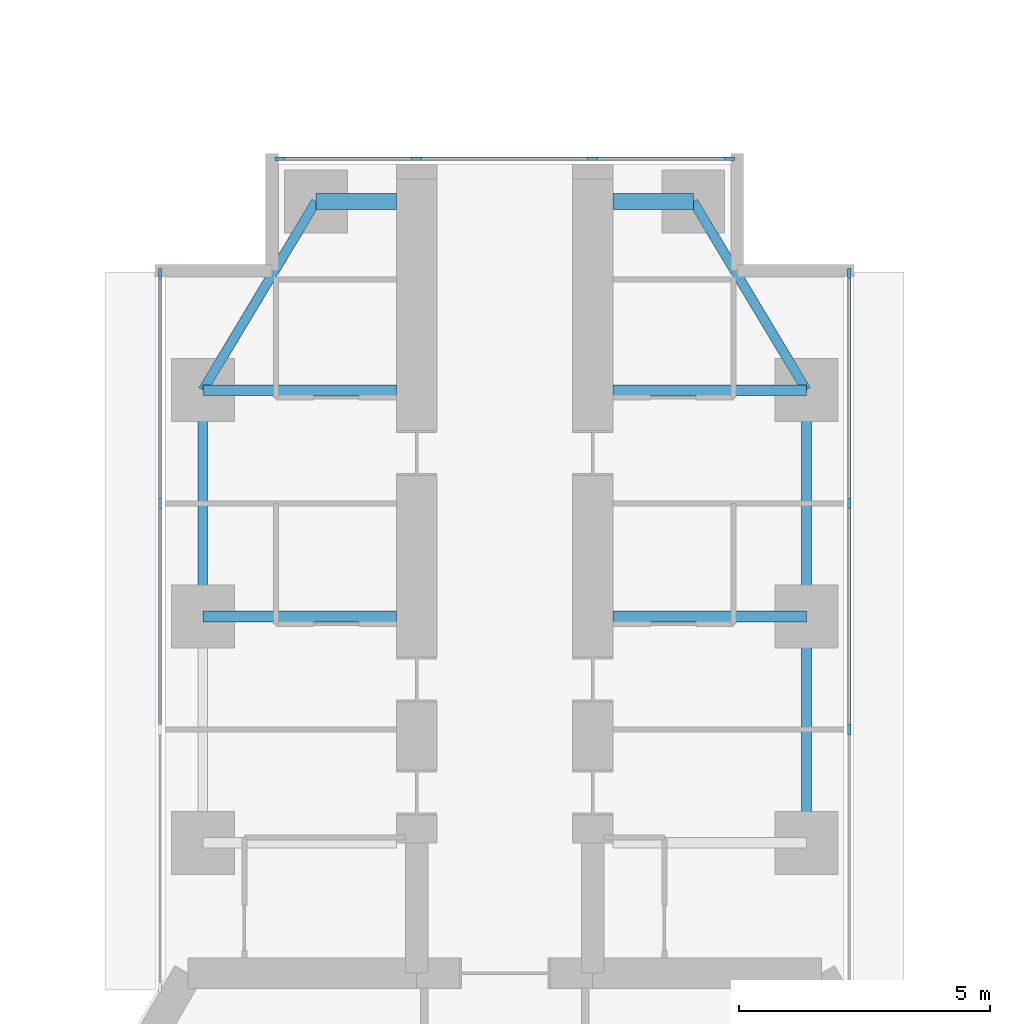
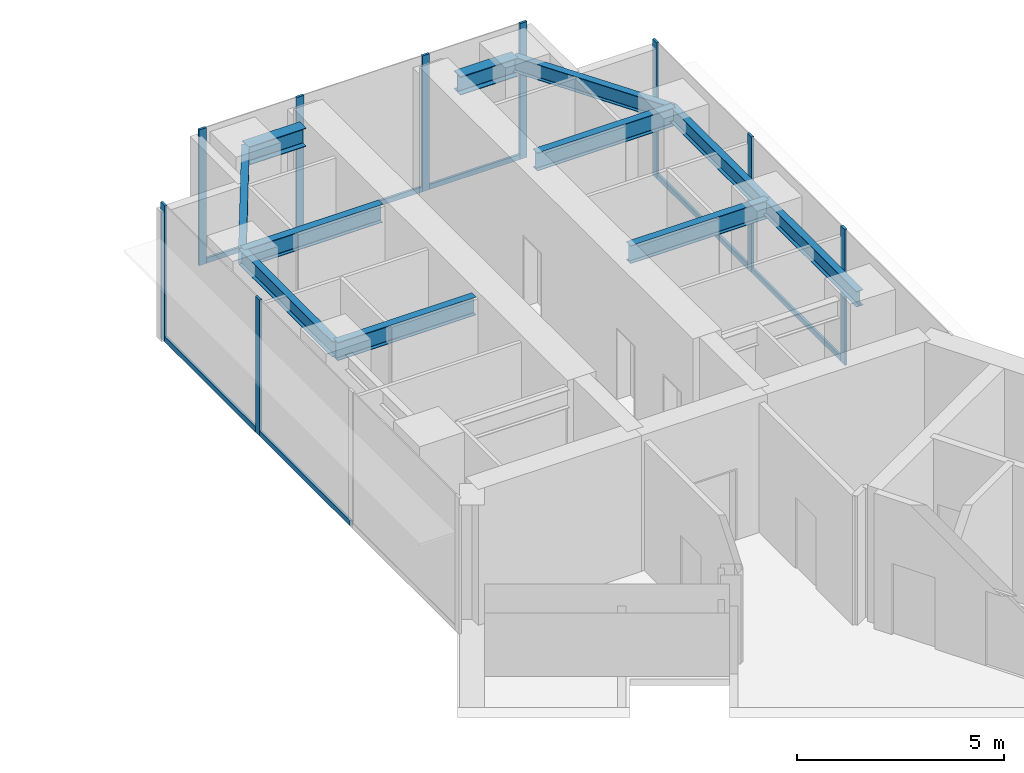
# One storey, part 12 of 23: 16 members, 11 beams, 3 elements without a shape of their own.
"""IFC4 building model written with IfcOpenShell, lengths in metres."""

import ifcopenshell
import ifcopenshell.guid

model = None  # the IFC model being written
_history = None  # IfcOwnerHistory: only IFC2X3 demands one
_inside = {}  # id of a spatial element -> (the spatial element, [elements in it])
_under = {}  # id of a project, library or spatial element -> (it, [spatial elements below it])
_declared = {}  # id of a project -> (the project, [libraries it declares])
_typed = {}  # id of a type object -> (the type object, [elements of that type])
_made_of = {}  # id of a material, layer set ... -> (it, [elements and type objects made of it])


def new_model(schema):
    """Start an empty IFC model of exactly this schema.

    Asked for "IFC4X3", IfcOpenShell would pick the latest addendum, in which some entities
    have other attributes; the version numbers below select the first issue.
    IFC2X3 requires an IfcOwnerHistory on every rooted entity: one is made here for all.
    """
    global model, _history
    if schema == "IFC4X3":
        model = ifcopenshell.file(schema_version=(4, 3, 0, 0))
    else:
        model = ifcopenshell.file(schema=schema)
    _inside.clear()
    _under.clear()
    _declared.clear()
    _typed.clear()
    _made_of.clear()
    _history = None
    if model.schema == "IFC2X3":
        org = make("IfcOrganization", Name="unknown")
        user = make(
            "IfcPersonAndOrganization",
            ThePerson=make("IfcPerson", FamilyName="unknown"),
            TheOrganization=org,
        )
        app = make(
            "IfcApplication",
            ApplicationDeveloper=org,
            Version="unknown",
            ApplicationFullName="unknown",
            ApplicationIdentifier="unknown",
        )
        _history = make(
            "IfcOwnerHistory",
            OwningUser=user,
            OwningApplication=app,
            ChangeAction="ADDED",
            CreationDate=0,
        )
    return model


def make(cls, **values):
    """One entity of the class cls with the attributes given. An attribute that is None is left unset."""
    return model.create_entity(
        cls, **{name: value for name, value in values.items() if value is not None}
    )


def rooted(cls, **values):
    """An entity with a GlobalId (a new one), such as an element, a storey or a relation."""
    return make(cls, GlobalId=ifcopenshell.guid.new(), OwnerHistory=_history, **values)


def si_unit(unit_type, name, prefix=None):
    """IfcSIUnit, for example si_unit("LENGTHUNIT", "METRE", prefix="MILLI")."""
    return make("IfcSIUnit", UnitType=unit_type, Prefix=prefix, Name=name)


def assignment(units):
    """IfcUnitAssignment: the units of a project."""
    return None if units is None else make("IfcUnitAssignment", Units=units)


def point(xyz):
    """IfcCartesianPoint."""
    return None if xyz is None else make("IfcCartesianPoint", Coordinates=xyz)


def direction(xyz):
    """IfcDirection."""
    return None if xyz is None else make("IfcDirection", DirectionRatios=xyz)


def frame(location, z_axis=None, x_axis=None):
    """IfcAxis2Placement3D, a coordinate frame: its origin and axes. An axis left out is left unset."""
    return make(
        "IfcAxis2Placement3D",
        Location=point(location),
        Axis=direction(z_axis),
        RefDirection=direction(x_axis),
    )


def frame_2d(location, x_axis=None):
    """IfcAxis2Placement2D, a coordinate frame in the plane: its origin and x axis."""
    return make(
        "IfcAxis2Placement2D", Location=point(location), RefDirection=direction(x_axis)
    )


def origin():
    """The frame at (0, 0, 0) with its axes left unset."""
    return frame((0.0, 0.0, 0.0))


def origin_2d():
    """The frame at (0, 0) in the plane with its x axis left unset."""
    return frame_2d((0.0, 0.0))


def place(relative_to, where):
    """IfcLocalPlacement: puts the frame where relative to a parent placement (None: the world)."""
    return make(
        "IfcLocalPlacement", PlacementRelTo=relative_to, RelativePlacement=where
    )


def context(
    kind, dimensions, precision=None, world=None, true_north=None, identifier=None
):
    """IfcGeometricRepresentationContext, for example the 3D "Model" context."""
    return make(
        "IfcGeometricRepresentationContext",
        ContextIdentifier=identifier,
        ContextType=kind,
        CoordinateSpaceDimension=dimensions,
        Precision=precision,
        WorldCoordinateSystem=world,
        TrueNorth=true_north,
    )


def subcontext(parent, identifier, kind, view, scale=None):
    """IfcGeometricRepresentationSubContext, for example "Body" below "Model"."""
    return make(
        "IfcGeometricRepresentationSubContext",
        ContextIdentifier=identifier,
        ContextType=kind,
        ParentContext=parent,
        TargetScale=scale,
        TargetView=view,
    )


def project(units=None, contexts=None):
    """IfcProject with its units and contexts."""
    return rooted(
        "IfcProject",
        Name="project",
        RepresentationContexts=contexts,
        UnitsInContext=assignment(units),
    )


def spatial(cls, under=None, at=None, **own):
    """A site, building, storey or space (cls), placed at a placement, below another one or the project."""
    s = rooted(cls, ObjectPlacement=at, **own)
    if under is not None:
        _under.setdefault(under.id(), (under, []))[1].append(s)
    return s


def profile(cls, at=None, kind="AREA", **sizes):
    """A parametric profile (cls). Its sizes go by their IFC names, for example OverallWidth=200.0."""
    return make(cls, ProfileType=kind, Position=at, **sizes)


def rectangle(**sizes):
    """IfcRectangleProfileDef."""
    return profile("IfcRectangleProfileDef", **sizes)


def i_section(**sizes):
    """IfcIShapeProfileDef."""
    return profile("IfcIShapeProfileDef", **sizes)


def extrude(swept, where, along, depth):
    """IfcExtrudedAreaSolid: the profile swept, set in the frame where, extruded along a direction by depth."""
    return make(
        "IfcExtrudedAreaSolid",
        SweptArea=swept,
        Position=where,
        ExtrudedDirection=direction(along),
        Depth=depth,
    )


def shape(context_of_items, identifier, shape_type, items):
    """IfcShapeRepresentation: the items that make up one representation, for example the "Body"."""
    return make(
        "IfcShapeRepresentation",
        ContextOfItems=context_of_items,
        RepresentationIdentifier=identifier,
        RepresentationType=shape_type,
        Items=items,
    )


def material(Name=None, Category=None):
    """IfcMaterial."""
    return make("IfcMaterial", Name=Name, Category=Category)


def material_profile(
    of_material, cross_section, Name=None, Category=None, Priority=None
):
    """IfcMaterialProfile: a cross section and its material."""
    return make(
        "IfcMaterialProfile",
        Name=Name,
        Material=of_material,
        Profile=cross_section,
        Priority=Priority,
        Category=Category,
    )


def profile_set(profiles, Name=None, composite=None):
    """IfcMaterialProfileSet."""
    return make(
        "IfcMaterialProfileSet",
        Name=Name,
        MaterialProfiles=profiles,
        CompositeProfile=composite,
    )


def made_of(thing, what):
    """Note that an element or type object is made of a material, layer set ...; save() writes the relation."""
    if what is not None:
        _made_of.setdefault(what.id(), (what, []))[1].append(thing)
    return thing


def type_object(cls, material=None, **own):
    """A type object (cls), such as IfcWallType, which elements share."""
    return made_of(rooted(cls, **own), material)


def element(
    cls,
    number,
    at=None,
    inside=None,
    cuts=None,
    type_object=None,
    material=None,
    context=None,
    identifier="Body",
    shape_type=None,
    held_by="IfcProductDefinitionShape",
    body=None,
    shapes=None,
    **own,
):
    """One element of the class cls, such as IfcWall. Its Tag is "e" and its number.

    at: its placement. inside: the storey or other place that contains it. cuts: it is an
    opening in that element (IfcRelVoidsElement). A single representation is given by context,
    identifier, shape_type and body (its items); several are given by shapes. held_by: the class
    of the entity that holds the representations. save() writes the other relations.
    """
    e = rooted(cls, Tag="e%d" % number, ObjectPlacement=at, **own)
    if body is not None:
        shapes = [shape(context, identifier, shape_type, body)]
    if shapes is not None:
        e.Representation = make(held_by, Representations=shapes)
    if inside is not None:
        _inside.setdefault(inside.id(), (inside, []))[1].append(e)
    if cuts is not None:
        rooted(
            "IfcRelVoidsElement", RelatingBuildingElement=cuts, RelatedOpeningElement=e
        )
    if type_object is not None:
        _typed.setdefault(type_object.id(), (type_object, []))[1].append(e)
    return made_of(e, material)


def aggregate(whole, parts):
    """IfcRelAggregates: a whole, such as a stair, and the parts it consists of."""
    return rooted("IfcRelAggregates", RelatingObject=whole, RelatedObjects=parts)


def save(model, path):
    """Write the relations noted so far, then the file.

    IfcRelAggregates (storeys below a building ...), IfcRelContainedInSpatialStructure (elements
    in a storey), IfcRelDefinesByType, IfcRelAssociatesMaterial and IfcRelDeclares: one each for
    every whole, place, type object, material and project.
    """
    for whole, parts in _under.values():
        aggregate(whole, parts)
    for where, things in _inside.values():
        rooted(
            "IfcRelContainedInSpatialStructure",
            RelatedElements=things,
            RelatingStructure=where,
        )
    for kind, things in _typed.values():
        rooted("IfcRelDefinesByType", RelatedObjects=things, RelatingType=kind)
    for what, things in _made_of.values():
        rooted("IfcRelAssociatesMaterial", RelatedObjects=things, RelatingMaterial=what)
    for by, libraries in _declared.values():
        rooted("IfcRelDeclares", RelatingContext=by, RelatedDefinitions=libraries)
    model.write(path)


model = new_model("IFC4")

# Units and contexts
model_context = context("Model", 3, precision=1e-05, world=origin(), true_north=direction((0.0, 1.0)))
body_context = subcontext(model_context, "Body", "Model", "MODEL_VIEW")
ifc_project = project(units=[si_unit("LENGTHUNIT", "METRE"), si_unit("AREAUNIT", "SQUARE_METRE"), si_unit("VOLUMEUNIT", "CUBIC_METRE"), si_unit("PLANEANGLEUNIT", "RADIAN"), si_unit("MASSUNIT", "GRAM", prefix="KILO")], contexts=[model_context])

# Site, building, storey
site_placement = place(None, origin())
site = spatial("IfcSite", under=ifc_project, at=site_placement, CompositionType="ELEMENT")
building_placement = place(site_placement, origin())
building = spatial("IfcBuilding", under=site, at=building_placement, Name="Upepo Twin Towers", CompositionType="ELEMENT")
storey_placement = place(building_placement, frame((0.0, 0.0, 149.5)))
storey = spatial("IfcBuildingStorey", under=building, at=storey_placement, Name="L36", CompositionType="ELEMENT", Elevation=149.5)

# Beams
ifc_material_1 = material(Name="Steel S355", Category="steel")
ifc_material_profile_1 = material_profile(ifc_material_1, i_section(OverallWidth=0.1904296875, OverallDepth=0.45703125, WebThickness=0.009033203125, FlangeThickness=0.014404296875, FilletRadius=0.01025390625, at=origin_2d()), Name="UB 457x191x74")
ifc_profile_set_1 = profile_set([ifc_material_profile_1], Name="Steel S355")
beam_type_1 = type_object("IfcBeamType", Name="Beam UB 457x191x74", PredefinedType="BEAM", material=ifc_profile_set_1)
beam_1_placement = place(storey_placement, frame((52.5, 0.0, 3.571533203125), z_axis=(0.0, 1.0, 0.0), x_axis=(-1.0, 0.0, 0.0)))
element("IfcBeam", 1, at=beam_1_placement, inside=storey, type_object=beam_type_1, Name="T2 edge beam AL 18.0-22.5", PredefinedType="BEAM", context=body_context, shape_type="SweptSolid", body=[
    extrude(i_section(OverallWidth=0.1904296875, OverallDepth=0.45703125, WebThickness=0.009033203125, FlangeThickness=0.014404296875, FilletRadius=0.01025390625, at=origin_2d()), origin(), (0.0, 0.0, 1.0), 4.5),
])
beam_2_placement = place(storey_placement, frame((52.5, 4.5, 3.571533203125), z_axis=(0.514495755428, 0.857492925713, 0.0), x_axis=(-0.857492925713, 0.514495755428, 0.0)))
element("IfcBeam", 2, at=beam_2_placement, inside=storey, type_object=beam_type_1, Name="T2 nose edge beam AL", PredefinedType="BEAM", context=body_context, shape_type="SweptSolid", body=[
    extrude(i_section(OverallWidth=0.1904296875, OverallDepth=0.45703125, WebThickness=0.009033203125, FlangeThickness=0.014404296875, FilletRadius=0.01025390625, at=origin_2d()), origin(), (0.0, 0.0, 1.0), 4.373291015625),
])
for number, where, z_axis, x_axis, name in (
    (3, (64.5, -4.5, 3.571533203125), (0.0, 1.0, 0.0), (-1.0, 0.0, 0.0), "T2 edge beam AR 13.5-18.0"),
    (4, (64.5, 0.0, 3.571533203125), (0.0, 1.0, 0.0), (-1.0, 0.0, 0.0), "T2 edge beam AR 18.0-22.5"),
):
    element("IfcBeam", number, at=place(storey_placement, frame(where, z_axis=z_axis, x_axis=x_axis)), inside=storey, type_object=beam_type_1, Name=name, PredefinedType="BEAM", context=body_context, shape_type="SweptSolid", body=[
        extrude(i_section(OverallWidth=0.1904296875, OverallDepth=0.45703125, WebThickness=0.009033203125, FlangeThickness=0.014404296875, FilletRadius=0.01025390625, at=origin_2d()), origin(), (0.0, 0.0, 1.0), 4.5),
    ])
beam_3_placement = place(storey_placement, frame((64.5, 4.5, 3.571533203125), z_axis=(-0.514495755428, 0.857492925713, 0.0), x_axis=(-0.857492925713, -0.514495755428, 0.0)))
element("IfcBeam", 5, at=beam_3_placement, inside=storey, type_object=beam_type_1, Name="T2 nose edge beam AR", PredefinedType="BEAM", context=body_context, shape_type="SweptSolid", body=[
    extrude(i_section(OverallWidth=0.1904296875, OverallDepth=0.45703125, WebThickness=0.009033203125, FlangeThickness=0.014404296875, FilletRadius=0.01025390625, at=origin_2d()), origin(), (0.0, 0.0, 1.0), 4.373291015625),
])
ifc_material_2 = material(Name="Steel S355", Category="steel")
ifc_material_profile_2 = material_profile(ifc_material_2, i_section(OverallWidth=0.209228515625, OverallDepth=0.533203125, WebThickness=0.010009765625, FlangeThickness=0.015625, FilletRadius=0.0126953125, at=origin_2d()), Name="UB 533x210x92")
ifc_profile_set_2 = profile_set([ifc_material_profile_2], Name="Steel S355")
beam_type_2 = type_object("IfcBeamType", Name="Beam UB 533x210x92", PredefinedType="BEAM", material=ifc_profile_set_2)
for number, where, z_axis, x_axis, name in (
    (6, (52.5, 0.0, 3.533447265625), (1.0, 0.0, 0.0), (0.0, 1.0, 0.0), "T2 girder AL at 18.0"),
    (7, (52.5, 4.5, 3.533447265625), (1.0, 0.0, 0.0), (0.0, 1.0, 0.0), "T2 girder AL at 22.5"),
    (8, (64.5, 0.0, 3.533447265625), (-1.0, 0.0, 0.0), (0.0, -1.0, 0.0), "T2 girder AR at 18.0"),
    (9, (64.5, 4.5, 3.533447265625), (-1.0, 0.0, 0.0), (0.0, -1.0, 0.0), "T2 girder AR at 22.5"),
):
    element("IfcBeam", number, at=place(storey_placement, frame(where, z_axis=z_axis, x_axis=x_axis)), inside=storey, type_object=beam_type_2, Name=name, PredefinedType="BEAM", context=body_context, shape_type="SweptSolid", body=[
        extrude(i_section(OverallWidth=0.209228515625, OverallDepth=0.533203125, WebThickness=0.010009765625, FlangeThickness=0.015625, FilletRadius=0.0126953125, at=origin_2d()), origin(), (0.0, 0.0, 1.0), 3.85009765625),
    ])
ifc_material_3 = material(Name="Steel S355", Category="steel")
ifc_material_profile_3 = material_profile(ifc_material_3, i_section(OverallWidth=0.31201171875, OverallDepth=0.54345703125, WebThickness=0.0126953125, FlangeThickness=0.020263671875, FilletRadius=0.0126953125, at=origin_2d()), Name="UB 533x312x150")
ifc_profile_set_3 = profile_set([ifc_material_profile_3], Name="Steel S355")
beam_type_3 = type_object("IfcBeamType", Name="Beam UB 533x312x150", PredefinedType="BEAM", material=ifc_profile_set_3)
for number, where, z_axis, x_axis, name in (
    (10, (54.75, 8.25, 3.5283203125), (1.0, 0.0, 0.0), (0.0, 1.0, 0.0), "T2 nose beam AL"),
    (11, (62.25, 8.25, 3.5283203125), (-1.0, 0.0, 0.0), (0.0, -1.0, 0.0), "T2 nose beam AR"),
):
    element("IfcBeam", number, at=place(storey_placement, frame(where, z_axis=z_axis, x_axis=x_axis)), inside=storey, type_object=beam_type_3, Name=name, PredefinedType="BEAM", context=body_context, shape_type="SweptSolid", body=[
        extrude(i_section(OverallWidth=0.31201171875, OverallDepth=0.54345703125, WebThickness=0.0126953125, FlangeThickness=0.020263671875, FilletRadius=0.0126953125, at=origin_2d()), origin(), (0.0, 0.0, 1.0), 1.60009765625),
    ])

# Curtain wall, members
ifc_material_4 = material(Name="Aluminium and fritted glass", Category="aluminium")
curtain_wall_type = type_object("IfcCurtainWallType", Name="Tower curtain wall TW2, fritted glass", PredefinedType="NOTDEFINED", material=ifc_material_4)
curtain_wall_1_placement = place(storey_placement, origin())
curtain_wall_1 = element("IfcCurtainWall", 12, at=curtain_wall_1_placement, inside=storey, type_object=curtain_wall_type, Name="T2 L36 wing A flank L curtain wall", PredefinedType="NOTDEFINED")
ifc_material_5 = material(Name="Aluminium mullion", Category="aluminium")
ifc_material_profile_4 = material_profile(ifc_material_5, rectangle(XDim=0.06494140625, YDim=0.199951171875, at=origin_2d()), Name="MULLION 65x200")
ifc_profile_set_4 = profile_set([ifc_material_profile_4], Name="Aluminium mullion")
member_type_1 = type_object("IfcMemberType", Name="Mullion 65x200 TW2", PredefinedType="MULLION", material=ifc_profile_set_4)
member_1_placement = place(storey_placement, frame((51.64990234375, 2.25, 0.0), z_axis=(0.0, 0.0, 1.0), x_axis=(-1.0, 0.0, 0.0)))
member_1 = element("IfcMember", 13, at=member_1_placement, type_object=member_type_1, Name="T2 L36 wing A flank L curtain wall mullion 3", PredefinedType="MULLION", context=body_context, shape_type="SweptSolid", body=[
    extrude(rectangle(XDim=0.06494140625, YDim=0.199951171875, at=origin_2d()), origin(), (0.0, 0.0, 1.0), 4.0),
])
member_2_placement = place(storey_placement, frame((51.64990234375, 6.8173828125, 0.0), z_axis=(0.0, 0.0, 1.0), x_axis=(-1.0, 0.0, 0.0)))
member_2 = element("IfcMember", 14, at=member_2_placement, type_object=member_type_1, Name="T2 L36 wing A flank L curtain wall mullion 4", PredefinedType="MULLION", context=body_context, shape_type="SweptSolid", body=[
    extrude(rectangle(XDim=0.06494140625, YDim=0.199951171875, at=origin_2d()), origin(), (0.0, 0.0, 1.0), 4.0),
])

curtain_wall_2_placement = place(storey_placement, origin())
curtain_wall_2 = element("IfcCurtainWall", 15, at=curtain_wall_2_placement, inside=storey, type_object=curtain_wall_type, Name="T2 L36 wing A flank R curtain wall", PredefinedType="NOTDEFINED")
member_3_placement = place(storey_placement, frame((65.35009765625, 6.8173828125, 0.0), z_axis=(0.0, 0.0, 1.0), x_axis=(1.0, 0.0, 0.0)))
member_3 = element("IfcMember", 16, at=member_3_placement, type_object=member_type_1, Name="T2 L36 wing A flank R curtain wall mullion 1", PredefinedType="MULLION", context=body_context, shape_type="SweptSolid", body=[
    extrude(rectangle(XDim=0.06494140625, YDim=0.199951171875, at=origin_2d()), origin(), (0.0, 0.0, 1.0), 4.0),
])
member_4_placement = place(storey_placement, frame((65.35009765625, 2.25, 0.0), z_axis=(0.0, 0.0, 1.0), x_axis=(1.0, 0.0, 0.0)))
member_4 = element("IfcMember", 17, at=member_4_placement, type_object=member_type_1, Name="T2 L36 wing A flank R curtain wall mullion 2", PredefinedType="MULLION", context=body_context, shape_type="SweptSolid", body=[
    extrude(rectangle(XDim=0.06494140625, YDim=0.199951171875, at=origin_2d()), origin(), (0.0, 0.0, 1.0), 4.0),
])
member_5_placement = place(storey_placement, frame((65.35009765625, -2.25, 0.0), z_axis=(0.0, 0.0, 1.0), x_axis=(1.0, 0.0, 0.0)))
member_5 = element("IfcMember", 18, at=member_5_placement, type_object=member_type_1, Name="T2 L36 wing A flank R curtain wall mullion 3", PredefinedType="MULLION", context=body_context, shape_type="SweptSolid", body=[
    extrude(rectangle(XDim=0.06494140625, YDim=0.199951171875, at=origin_2d()), origin(), (0.0, 0.0, 1.0), 4.0),
])

curtain_wall_3_placement = place(storey_placement, origin())
curtain_wall_3 = element("IfcCurtainWall", 19, at=curtain_wall_3_placement, inside=storey, type_object=curtain_wall_type, Name="T2 L36 wing A nose curtain wall", PredefinedType="NOTDEFINED")
member_6_placement = place(storey_placement, frame((62.967529296875, 9.10009765625, 0.0), z_axis=(0.0, 0.0, 1.0), x_axis=(0.0, -1.0, 0.0)))
member_6 = element("IfcMember", 20, at=member_6_placement, type_object=member_type_1, Name="T2 L36 wing A nose curtain wall mullion 1", PredefinedType="MULLION", context=body_context, shape_type="SweptSolid", body=[
    extrude(rectangle(XDim=0.06494140625, YDim=0.199951171875, at=origin_2d()), origin(), (0.0, 0.0, 1.0), 4.0),
])
member_7_placement = place(storey_placement, frame((60.25, 9.10009765625, 0.0), z_axis=(0.0, 0.0, 1.0), x_axis=(0.0, -1.0, 0.0)))
member_7 = element("IfcMember", 21, at=member_7_placement, type_object=member_type_1, Name="T2 L36 wing A nose curtain wall mullion 2", PredefinedType="MULLION", context=body_context, shape_type="SweptSolid", body=[
    extrude(rectangle(XDim=0.06494140625, YDim=0.199951171875, at=origin_2d()), origin(), (0.0, 0.0, 1.0), 4.0),
])
member_8_placement = place(storey_placement, frame((56.75, 9.10009765625, 0.0), z_axis=(0.0, 0.0, 1.0), x_axis=(0.0, -1.0, 0.0)))
member_8 = element("IfcMember", 22, at=member_8_placement, type_object=member_type_1, Name="T2 L36 wing A nose curtain wall mullion 3", PredefinedType="MULLION", context=body_context, shape_type="SweptSolid", body=[
    extrude(rectangle(XDim=0.06494140625, YDim=0.199951171875, at=origin_2d()), origin(), (0.0, 0.0, 1.0), 4.0),
])
member_9_placement = place(storey_placement, frame((54.032470703125, 9.10009765625, 0.0), z_axis=(0.0, 0.0, 1.0), x_axis=(0.0, -1.0, 0.0)))
member_9 = element("IfcMember", 23, at=member_9_placement, type_object=member_type_1, Name="T2 L36 wing A nose curtain wall mullion 4", PredefinedType="MULLION", context=body_context, shape_type="SweptSolid", body=[
    extrude(rectangle(XDim=0.06494140625, YDim=0.199951171875, at=origin_2d()), origin(), (0.0, 0.0, 1.0), 4.0),
])

# Member
ifc_material_6 = material(Name="Aluminium transom", Category="aluminium")
ifc_material_profile_5 = material_profile(ifc_material_6, rectangle(XDim=0.06494140625, YDim=0.14990234375, at=origin_2d()), Name="TRANSOM 65x150")
ifc_profile_set_5 = profile_set([ifc_material_profile_5], Name="Aluminium transom")
member_type_2 = type_object("IfcMemberType", Name="Transom 65x150 TW2", PredefinedType="USERDEFINED", material=ifc_profile_set_5)
member_10_placement = place(storey_placement, frame((51.64990234375, -2.217529296875, 0.074951171875), z_axis=(0.0, 1.0, 0.0), x_axis=(-1.0, 0.0, 0.0)))
member_10 = element("IfcMember", 24, at=member_10_placement, type_object=member_type_2, Name="T2 L36 wing A flank L curtain wall transom 2", ObjectType="TRANSOM", PredefinedType="USERDEFINED", context=body_context, shape_type="SweptSolid", body=[
    extrude(rectangle(XDim=0.06494140625, YDim=0.14990234375, at=origin_2d()), origin(), (0.0, 0.0, 1.0), 4.43505859375),
])

member_11_placement = place(storey_placement, frame((51.64990234375, 2.282470703125, 0.074951171875), z_axis=(0.0, 1.0, 0.0), x_axis=(-1.0, 0.0, 0.0)))
member_11 = element("IfcMember", 25, at=member_11_placement, type_object=member_type_2, Name="T2 L36 wing A flank L curtain wall transom 3", ObjectType="TRANSOM", PredefinedType="USERDEFINED", context=body_context, shape_type="SweptSolid", body=[
    extrude(rectangle(XDim=0.06494140625, YDim=0.14990234375, at=origin_2d()), origin(), (0.0, 0.0, 1.0), 4.50244140625),
])

aggregate(curtain_wall_1, [member_1, member_2, member_10, member_11])

member_12_placement = place(storey_placement, frame((65.35009765625, 6.784912109375, 0.074951171875), z_axis=(0.0, -1.0, 0.0), x_axis=(1.0, 0.0, 0.0)))
member_12 = element("IfcMember", 26, at=member_12_placement, type_object=member_type_2, Name="T2 L36 wing A flank R curtain wall transom 1", ObjectType="TRANSOM", PredefinedType="USERDEFINED", context=body_context, shape_type="SweptSolid", body=[
    extrude(rectangle(XDim=0.06494140625, YDim=0.14990234375, at=origin_2d()), origin(), (0.0, 0.0, 1.0), 4.50244140625),
])

member_13_placement = place(storey_placement, frame((65.35009765625, 2.217529296875, 0.074951171875), z_axis=(0.0, -1.0, 0.0), x_axis=(1.0, 0.0, 0.0)))
member_13 = element("IfcMember", 27, at=member_13_placement, type_object=member_type_2, Name="T2 L36 wing A flank R curtain wall transom 2", ObjectType="TRANSOM", PredefinedType="USERDEFINED", context=body_context, shape_type="SweptSolid", body=[
    extrude(rectangle(XDim=0.06494140625, YDim=0.14990234375, at=origin_2d()), origin(), (0.0, 0.0, 1.0), 4.43505859375),
])

aggregate(curtain_wall_2, [member_3, member_4, member_5, member_12, member_13])

member_14_placement = place(storey_placement, frame((62.93505859375, 9.10009765625, 0.074951171875), z_axis=(-1.0, 0.0, 0.0), x_axis=(0.0, -1.0, 0.0)))
member_14 = element("IfcMember", 28, at=member_14_placement, type_object=member_type_2, Name="T2 L36 wing A nose curtain wall transom 1", ObjectType="TRANSOM", PredefinedType="USERDEFINED", context=body_context, shape_type="SweptSolid", body=[
    extrude(rectangle(XDim=0.06494140625, YDim=0.14990234375, at=origin_2d()), origin(), (0.0, 0.0, 1.0), 2.652587890625),
])

member_15_placement = place(storey_placement, frame((60.217529296875, 9.10009765625, 0.074951171875), z_axis=(-1.0, 0.0, 0.0), x_axis=(0.0, -1.0, 0.0)))
member_15 = element("IfcMember", 29, at=member_15_placement, type_object=member_type_2, Name="T2 L36 wing A nose curtain wall transom 2", ObjectType="TRANSOM", PredefinedType="USERDEFINED", context=body_context, shape_type="SweptSolid", body=[
    extrude(rectangle(XDim=0.06494140625, YDim=0.14990234375, at=origin_2d()), origin(), (0.0, 0.0, 1.0), 3.43505859375),
])

member_16_placement = place(storey_placement, frame((56.717529296875, 9.10009765625, 0.074951171875), z_axis=(-1.0, 0.0, 0.0), x_axis=(0.0, -1.0, 0.0)))
member_16 = element("IfcMember", 30, at=member_16_placement, type_object=member_type_2, Name="T2 L36 wing A nose curtain wall transom 3", ObjectType="TRANSOM", PredefinedType="USERDEFINED", context=body_context, shape_type="SweptSolid", body=[
    extrude(rectangle(XDim=0.06494140625, YDim=0.14990234375, at=origin_2d()), origin(), (0.0, 0.0, 1.0), 2.652587890625),
])

aggregate(curtain_wall_3, [member_6, member_7, member_8, member_9, member_14, member_15, member_16])

save(model, "model.ifc")
